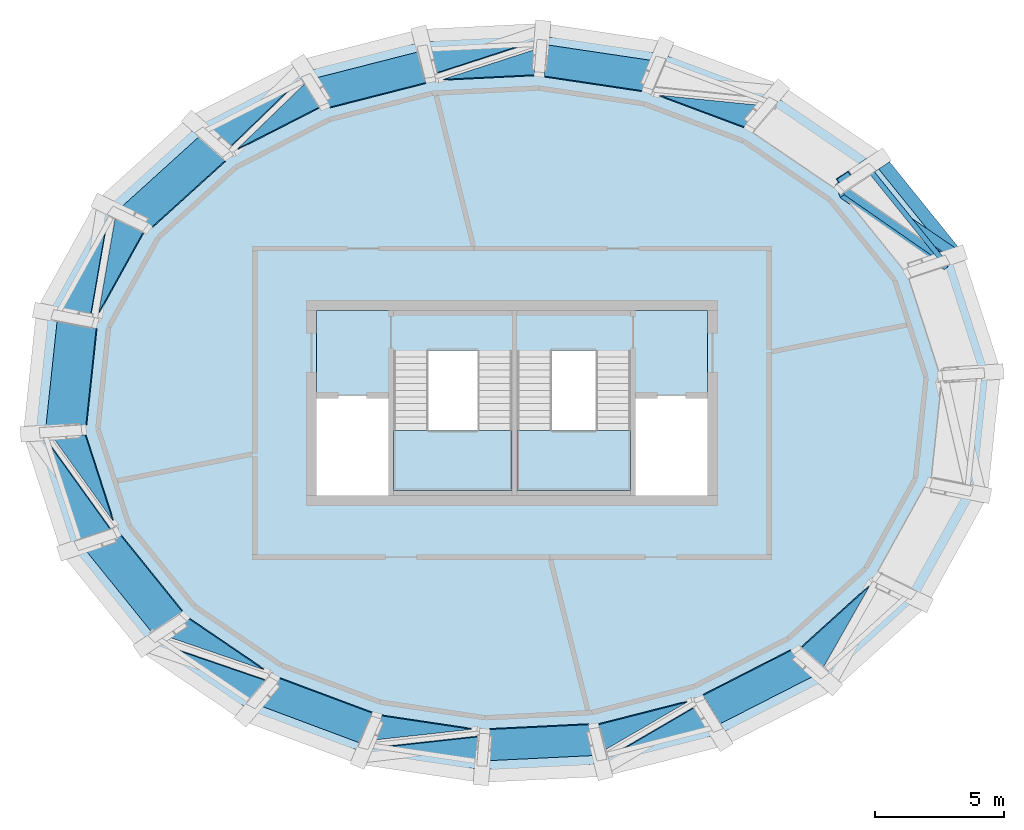
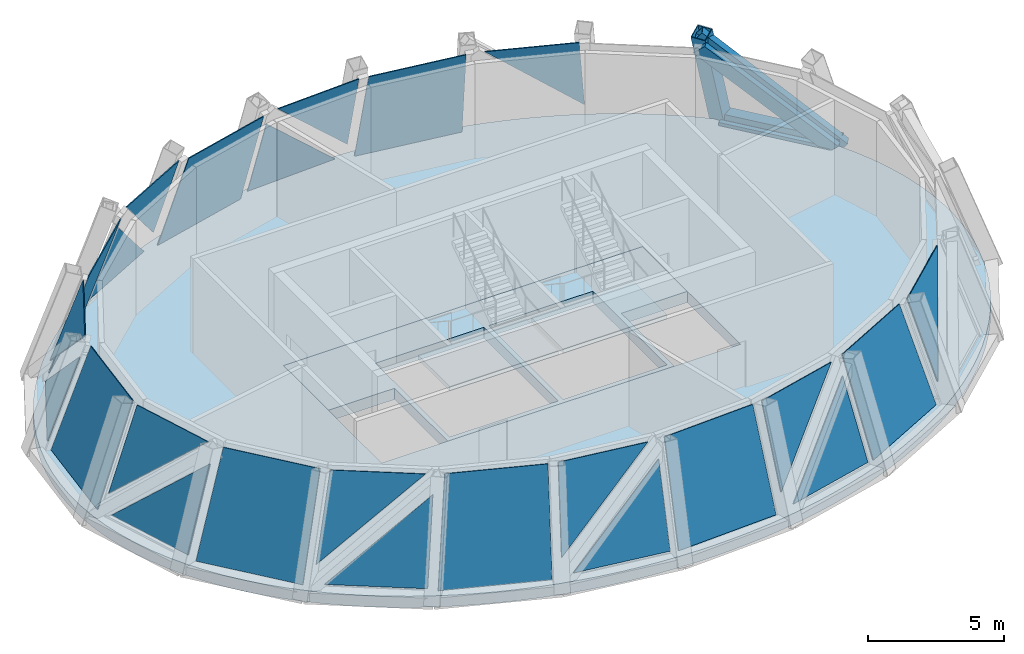
# One storey, part 3 of 6: 24 plates, 4 members, 4 slabs, 1 beam, 3 elements without a shape of their own.
"""IFC4 building model written with IfcOpenShell, lengths in metres."""

from ifc_helpers import new_model, si_unit, direction, frame, origin, origin_2d, place, context, subcontext, project, spatial, polyline, rectangle, hollow_rectangle, outline, extrude, source, transform, mapped, material, layer, layer_set, material_profile, profile_set, type_object, element, aggregate, save


model = new_model("IFC4")

# Units and contexts
model_context = context("Model", 3, precision=1e-05, world=origin(), true_north=direction((0.0, 1.0)))
body_context = subcontext(model_context, "Body", "Model", "MODEL_VIEW")
ifc_project = project(units=[si_unit("LENGTHUNIT", "METRE"), si_unit("AREAUNIT", "SQUARE_METRE"), si_unit("VOLUMEUNIT", "CUBIC_METRE"), si_unit("PLANEANGLEUNIT", "RADIAN"), si_unit("MASSUNIT", "GRAM", prefix="KILO")], contexts=[model_context])

# Site, building, storey
site_placement = place(None, origin())
site = spatial("IfcSite", under=ifc_project, at=site_placement, CompositionType="ELEMENT")
building_placement = place(site_placement, origin())
building = spatial("IfcBuilding", under=site, at=building_placement, Name="Embergate Tower", CompositionType="ELEMENT")
storey_placement = place(building_placement, frame((0.0, 0.0, 356.5)))
storey = spatial("IfcBuildingStorey", under=building, at=storey_placement, Name="L81", CompositionType="ELEMENT", Elevation=356.5)

# Beam
ifc_material_1 = material(Name="Steel Q355D", Category="steel")
ifc_material_profile_1 = material_profile(ifc_material_1, hollow_rectangle(XDim=0.5, YDim=0.5, WallThickness=0.02490234375, at=origin_2d()), Name="BOX 500x500x25")
ifc_profile_set_1 = profile_set([ifc_material_profile_1], Name="Steel Q355 grade D")
beam_type = type_object("IfcBeamType", Name="Glass point ring beam BOX 500x500x25", PredefinedType="BEAM", material=ifc_profile_set_1)
shared_shape_1 = source(origin(), body_context, "Body", "SweptSolid", [
    extrude(hollow_rectangle(XDim=0.5, YDim=0.5, WallThickness=0.02490234375, at=origin_2d()), origin(), (0.0, 0.0, 1.0), 4.773193359375),
])
beam_placement = place(storey_placement, frame((17.279052734375, 5.7529296875, 0.0), z_axis=(-0.628107299291, 0.77812673812, 0.0), x_axis=(-0.77812673812, -0.628107299291, 0.0)))
element("IfcBeam", 1, at=beam_placement, inside=storey, type_object=beam_type, Name="CRN-L81-RB01", PredefinedType="BEAM", context=body_context, shape_type="MappedRepresentation", body=[
    mapped(shared_shape_1, transform((0.0, 0.0, 0.0))),
])

# Members
ifc_material_profile_2 = material_profile(ifc_material_1, hollow_rectangle(XDim=0.39990234375, YDim=0.39990234375, WallThickness=0.02197265625, at=origin_2d()), Name="BOX 400x400x22")
ifc_profile_set_2 = profile_set([ifc_material_profile_2], Name="Steel Q355 grade D")
member_type_1 = type_object("IfcMemberType", Name="Glass point brace BOX 400x400x22", PredefinedType="BRACE", material=ifc_profile_set_2)
shared_shape_2 = source(origin(), body_context, "Body", "SweptSolid", [
    extrude(hollow_rectangle(XDim=0.39990234375, YDim=0.39990234375, WallThickness=0.02197265625, at=origin_2d()), origin(), (0.0, 0.0, 1.0), 7.12548828125),
])
member_1_placement = place(storey_placement, frame((17.3720703125, 5.68896484375, -0.09912109375), z_axis=(-0.621158125334, 0.423562068806, 0.659361628547), x_axis=(-0.563377833541, -0.826199380704, 0.0)))
element("IfcMember", 2, at=member_1_placement, inside=storey, type_object=member_type_1, Name="CRN-L81-DG01", PredefinedType="BRACE", context=body_context, shape_type="MappedRepresentation", body=[
    mapped(shared_shape_2, transform((0.0, 0.0, 0.0))),
])
ifc_material_profile_3 = material_profile(ifc_material_1, hollow_rectangle(XDim=0.60009765625, YDim=0.60009765625, WallThickness=0.028076171875, at=origin_2d()), Name="BOX 600x600x28")
ifc_profile_set_3 = profile_set([ifc_material_profile_3], Name="Steel Q355 grade D")
member_type_2 = type_object("IfcMemberType", Name="Glass point hip BOX 600x600x28", PredefinedType="MEMBER", material=ifc_profile_set_3)
shared_shape_3 = source(origin(), body_context, "Body", "SweptSolid", [
    extrude(hollow_rectangle(XDim=0.60009765625, YDim=0.60009765625, WallThickness=0.028076171875, at=origin_2d()), origin(), (0.0, 0.0, 1.0), 5.03955078125),
])
member_2_placement = place(storey_placement, frame((14.320068359375, 9.492919921875, -0.14208984375), z_axis=(-0.261935388227, -0.173816196219, 0.949303840889), x_axis=(0.552920820457, -0.833233800505, 0.0)))
element("IfcMember", 3, at=member_2_placement, inside=storey, type_object=member_type_2, Name="CRN-L81-HP02", PredefinedType="MEMBER", context=body_context, shape_type="MappedRepresentation", body=[
    mapped(shared_shape_3, transform((0.0, 0.0, 0.0))),
])

# Curtain wall, members
ifc_material_2 = material(Name="Aluminium and glass", Category="aluminium")
curtain_wall_type = type_object("IfcCurtainWallType", Name="Crown facet glazing", PredefinedType="NOTDEFINED", material=ifc_material_2)
curtain_wall_placement = place(storey_placement, origin())
curtain_wall = element("IfcCurtainWall", 4, at=curtain_wall_placement, inside=storey, type_object=curtain_wall_type, Name="Crown facet glazing L81", ObjectType="CROWN FACET GLAZING", PredefinedType="USERDEFINED")
ifc_material_3 = material(Name="Aluminium, thermally broken", Category="aluminium")
ifc_material_profile_4 = material_profile(ifc_material_3, rectangle(XDim=0.199951171875, YDim=0.139892578125, at=origin_2d()), Name="AL 140x200")
ifc_profile_set_4 = profile_set([ifc_material_profile_4], Name="Aluminium, thermally broken")
member_type_3 = type_object("IfcMemberType", Name="Crown facet transom", PredefinedType="USERDEFINED", material=ifc_profile_set_4)
shared_shape_4 = source(origin(), body_context, "Body", "SweptSolid", [
    extrude(rectangle(XDim=0.199951171875, YDim=0.139892578125, at=origin_2d()), origin(), (0.0, 0.0, 1.0), 4.35205078125),
])
member_3_placement = place(storey_placement, frame((16.708251953125, 5.585205078125, 0.070068359375), z_axis=(-0.628116410769, 0.778119383207, 0.0), x_axis=(-0.778119383207, -0.628116410769, 0.0)))
member_3 = element("IfcMember", 5, at=member_3_placement, type_object=member_type_3, Name="CW transom 2.1", ObjectType="TRANSOM", PredefinedType="USERDEFINED", context=body_context, shape_type="MappedRepresentation", body=[
    mapped(shared_shape_4, transform((0.0, 0.0, 0.0))),
])
ifc_material_profile_5 = material_profile(ifc_material_3, rectangle(XDim=0.199951171875, YDim=0.760009765625, at=origin_2d()), Name="AL 760x200")
ifc_profile_set_5 = profile_set([ifc_material_profile_5], Name="Aluminium, thermally broken")
member_type_4 = type_object("IfcMemberType", Name="Crown diagonal cover mullion", PredefinedType="MULLION", material=ifc_profile_set_5)
shared_shape_5 = source(origin(), body_context, "Body", "SweptSolid", [
    extrude(rectangle(XDim=0.199951171875, YDim=0.760009765625, at=origin_2d()), origin(), (0.0, 0.0, 1.0), 6.45751953125),
])
member_4_placement = place(storey_placement, frame((16.7822265625, 5.489501953125, 0.077880859375), z_axis=(-0.625304271667, 0.434072092811, 0.648518300496), x_axis=(0.738893277933, 0.596676761047, 0.313071184641)))
member_4 = element("IfcMember", 6, at=member_4_placement, type_object=member_type_4, Name="CW diagonal mullion 2", PredefinedType="MULLION", context=body_context, shape_type="MappedRepresentation", body=[
    mapped(shared_shape_5, transform((0.0, 0.0, 0.0))),
])

# Slab
ifc_material_4 = material(Name="Concrete C50", Category="concrete")
ifc_layer_1 = layer(ifc_material_4, 0.5)
ifc_layer_set_1 = layer_set([ifc_layer_1], Name="Concrete C50")
slab_type_1 = type_object("IfcSlabType", Name="Crown floor slab C50 500", PredefinedType="FLOOR", material=ifc_layer_set_1)
shared_shape_6 = source(origin(), body_context, "Body", "SweptSolid", [
    extrude(outline(polyline([(0.0, 0.0), (0.7841796875, 0.0), (1.567138671875, 0.026123046875), (2.35107421875, 0.0771484375), (3.132080078125, 0.154052734375), (3.906982421875, 0.256103515625), (4.68408203125, 0.384033203125), (5.4521484375, 0.5390625), (6.212158203125, 0.718017578125), (6.97314453125, 0.926025390625), (7.72119140625, 1.1591796875), (8.4560546875, 1.4169921875), (9.192138671875, 1.7060546875), (9.91015625, 2.02001953125), (10.610107421875, 2.359130859375), (11.30810546875, 2.732177734375), (11.984130859375, 3.129150390625), (12.635986328125, 3.550048828125), (13.283203125, 4.009033203125), (13.901123046875, 4.490966796875), (14.488037109375, 4.99609375), (15.065185546875, 5.5419921875), (15.606201171875, 6.109130859375), (16.109130859375, 6.696044921875), (16.593017578125, 7.326171875), (17.033203125, 7.97412109375), (17.43017578125, 8.63818359375), (17.794189453125, 9.342041015625), (18.109130859375, 10.05908203125), (18.373046875, 10.7880859375), (18.592041015625, 11.546142578125), (18.757080078125, 12.31201171875), (18.8671875, 13.0830078125), (18.923095703125, 13.864990234375), (18.923095703125, 14.649169921875), (18.8671875, 15.43115234375), (18.757080078125, 16.2021484375), (18.592041015625, 16.968017578125), (18.373046875, 17.72607421875), (18.109130859375, 18.455078125), (17.794189453125, 19.172119140625), (17.43017578125, 19.8759765625), (17.033203125, 20.5400390625), (16.593017578125, 21.18798828125), (16.109130859375, 21.818115234375), (15.606201171875, 22.405029296875), (15.065185546875, 22.97216796875), (14.488037109375, 23.51806640625), (13.901123046875, 24.023193359375), (13.283203125, 24.505126953125), (12.635986328125, 24.964111328125), (11.984130859375, 25.385009765625), (11.30810546875, 25.781982421875), (10.610107421875, 26.155029296875), (9.91015625, 26.494140625), (9.192138671875, 26.80810546875), (8.4560546875, 27.09716796875), (7.72119140625, 27.35498046875), (6.97314453125, 27.588134765625), (6.212158203125, 27.796142578125), (5.4521484375, 27.97509765625), (4.68408203125, 28.130126953125), (3.906982421875, 28.258056640625), (3.132080078125, 28.360107421875), (2.35107421875, 28.43701171875), (1.567138671875, 28.488037109375), (0.7841796875, 28.51416015625), (0.0, 28.51416015625), (-0.782958984375, 28.488037109375), (-1.56689453125, 28.43701171875), (-2.347900390625, 28.360107421875), (-3.122802734375, 28.258056640625), (-3.89990234375, 28.130126953125), (-4.66796875, 27.97509765625), (-5.427978515625, 27.796142578125), (-6.18896484375, 27.588134765625), (-6.93701171875, 27.35498046875), (-7.671875, 27.09716796875), (-8.407958984375, 26.80810546875), (-9.1259765625, 26.494140625), (-9.825927734375, 26.155029296875), (-10.52392578125, 25.781982421875), (-11.199951171875, 25.385009765625), (-11.851806640625, 24.964111328125), (-12.4990234375, 24.505126953125), (-13.116943359375, 24.023193359375), (-13.703857421875, 23.51806640625), (-14.281005859375, 22.97216796875), (-14.822021484375, 22.405029296875), (-15.324951171875, 21.818115234375), (-15.808837890625, 21.18798828125), (-16.2490234375, 20.5400390625), (-16.64599609375, 19.8759765625), (-17.010009765625, 19.172119140625), (-17.324951171875, 18.455078125), (-17.5888671875, 17.72607421875), (-17.807861328125, 16.968017578125), (-17.972900390625, 16.2021484375), (-18.0830078125, 15.43115234375), (-18.138916015625, 14.649169921875), (-18.138916015625, 13.864990234375), (-18.0830078125, 13.0830078125), (-17.972900390625, 12.31201171875), (-17.807861328125, 11.546142578125), (-17.5888671875, 10.7880859375), (-17.324951171875, 10.05908203125), (-17.010009765625, 9.342041015625), (-16.64599609375, 8.63818359375), (-16.2490234375, 7.97412109375), (-15.808837890625, 7.326171875), (-15.324951171875, 6.696044921875), (-14.822021484375, 6.109130859375), (-14.281005859375, 5.5419921875), (-13.703857421875, 4.99609375), (-13.116943359375, 4.490966796875), (-12.4990234375, 4.009033203125), (-11.851806640625, 3.550048828125), (-11.199951171875, 3.129150390625), (-10.52392578125, 2.732177734375), (-9.825927734375, 2.359130859375), (-9.1259765625, 2.02001953125), (-8.407958984375, 1.7060546875), (-7.671875, 1.4169921875), (-6.93701171875, 1.1591796875), (-6.18896484375, 0.926025390625), (-5.427978515625, 0.718017578125), (-4.66796875, 0.5390625), (-3.89990234375, 0.384033203125), (-3.122802734375, 0.256103515625), (-2.347900390625, 0.154052734375), (-1.56689453125, 0.0771484375), (-0.782958984375, 0.026123046875), (0.0, 0.0)]), holes=[polyline([(-7.2080078125, 10.656982421875), (-7.2080078125, 17.857177734375), (7.9921875, 17.857177734375), (7.9921875, 10.656982421875), (-7.2080078125, 10.656982421875)])]), origin(), (0.0, 0.0, 1.0), 0.5),
])
slab_1_placement = place(storey_placement, frame((-0.39208984375, -14.257080078125, -0.5)))
element("IfcSlab", 7, at=slab_1_placement, inside=storey, type_object=slab_type_1, Name="SLB-L81-00", PredefinedType="FLOOR", context=body_context, shape_type="MappedRepresentation", body=[
    mapped(shared_shape_6, transform((0.0, 0.0, 0.0))),
])

# Plate
ifc_material_5 = material(Name="Triple glazing, low-emissivity coating", Category="glass")
ifc_layer_2 = layer(ifc_material_5, 0.0400390625)
ifc_layer_set_2 = layer_set([ifc_layer_2], Name="Triple glazing, low-emissivity coating")
plate_type = type_object("IfcPlateType", Name="Crown facet glazing unit", PredefinedType="CURTAIN_PANEL", material=ifc_layer_set_2)
shared_shape_7 = source(origin(), body_context, "Body", "SweptSolid", [
    extrude(outline(polyline([(0.0, 0.0), (5.349609375, 0.0), (2.796142578125, 2.415283203125), (0.0, 0.0)])), origin(), (0.0, 0.0, -1.0), 0.0400390625),
])
plate_1_placement = place(storey_placement, frame((9.744140625, 11.56103515625, 0.810791015625), z_axis=(0.335843732298, 0.899853051497, 0.278340570501), x_axis=(-0.747529602842, 0.07484423374, 0.659998358749)))
plate_1 = element("IfcPlate", 8, at=plate_1_placement, type_object=plate_type, Name="CW panel 4.2", PredefinedType="CURTAIN_PANEL", context=body_context, shape_type="MappedRepresentation", body=[
    mapped(shared_shape_7, transform((0.0, 0.0, 0.0))),
])

shared_shape_8 = source(origin(), body_context, "Body", "SweptSolid", [
    extrude(outline(polyline([(0.0, 0.0), (4.2421875, 0.0), (4.162353515625, 4.493408203125), (0.31689453125, 4.493408203125), (0.0, 0.0)])), origin(), (0.0, 0.0, -1.0), 0.0400390625),
])
plate_2_placement = place(storey_placement, frame((5.548828125, 13.2978515625, 0.01123046875), z_axis=(0.141858286889, 0.952261169823, 0.270323678002), x_axis=(-0.989085431967, 0.147343164964, 2.92365e-06)))
plate_2 = element("IfcPlate", 9, at=plate_2_placement, type_object=plate_type, Name="CW panel 5.1", PredefinedType="CURTAIN_PANEL", context=body_context, shape_type="MappedRepresentation", body=[
    mapped(shared_shape_8, transform((0.0, 0.0, 0.0))),
])

shared_shape_9 = source(origin(), body_context, "Body", "SweptSolid", [
    extrude(outline(polyline([(0.0, 0.0), (3.808349609375, 0.0), (3.615234375, 3.643310546875), (0.0, 0.0)])), origin(), (0.0, 0.0, -1.0), 0.0400390625),
])
plate_3_placement = place(storey_placement, frame((0.535400390625, 13.960205078125, 0.150146484375), z_axis=(-0.0473023459, 0.962102544538, 0.26855387144), x_axis=(-0.998793558808, -0.049106281518, 0.0)))
plate_3 = element("IfcPlate", 10, at=plate_3_placement, type_object=plate_type, Name="CW panel 6.1", PredefinedType="CURTAIN_PANEL", context=body_context, shape_type="MappedRepresentation", body=[
    mapped(shared_shape_9, transform((0.0, 0.0, 0.0))),
])

shared_shape_10 = source(origin(), body_context, "Body", "SweptSolid", [
    extrude(outline(polyline([(0.0, 0.0), (5.210693359375, 0.0), (2.718017578125, 2.51220703125), (0.0, 0.0)])), origin(), (0.0, 0.0, -1.0), 0.0400390625),
])
plate_4_placement = place(storey_placement, frame((0.946044921875, 13.756591796875, 0.783447265625), z_axis=(-0.04731534268, 0.962122937239, 0.26847851308), x_axis=(-0.69414239314, -0.224946178162, 0.683787653425)))
plate_4 = element("IfcPlate", 11, at=plate_4_placement, type_object=plate_type, Name="CW panel 6.2", PredefinedType="CURTAIN_PANEL", context=body_context, shape_type="MappedRepresentation", body=[
    mapped(shared_shape_10, transform((0.0, 0.0, 0.0))),
])

shared_shape_11 = source(origin(), body_context, "Body", "SweptSolid", [
    extrude(outline(polyline([(0.0, 0.0), (4.2392578125, 0.0), (3.849609375, 4.496337890625), (0.007080078125, 4.496337890625), (0.0, 0.0)])), origin(), (0.0, 0.0, -1.0), 0.0400390625),
])
plate_5_placement = place(storey_placement, frame((-3.64990234375, 13.648193359375, 0.002685546875), z_axis=(-0.237805208716, 0.932042995453, 0.273394472027), x_axis=(-0.968958160907, -0.247224760903, 2.959132e-06)))
plate_5 = element("IfcPlate", 12, at=plate_5_placement, type_object=plate_type, Name="CW panel 7.1", PredefinedType="CURTAIN_PANEL", context=body_context, shape_type="MappedRepresentation", body=[
    mapped(shared_shape_11, transform((0.0, 0.0, 0.0))),
])

shared_shape_12 = source(origin(), body_context, "Body", "SweptSolid", [
    extrude(outline(polyline([(0.0, 0.0), (3.814697265625, 0.0), (3.40380859375, 3.65478515625), (0.0, 0.0)])), origin(), (0.0, 0.0, -1.0), 0.0400390625),
])
plate_6_placement = place(storey_placement, frame((-8.500244140625, 12.342041015625, 0.15087890625), z_axis=(-0.435766459251, 0.853802873911, 0.28483020467), x_axis=(-0.890697352457, -0.454596773335, 0.0)))
plate_6 = element("IfcPlate", 13, at=plate_6_placement, type_object=plate_type, Name="CW panel 8.1", PredefinedType="CURTAIN_PANEL", context=body_context, shape_type="MappedRepresentation", body=[
    mapped(shared_shape_12, transform((0.0, 0.0, 0.0))),
])

shared_shape_13 = source(origin(), body_context, "Body", "SweptSolid", [
    extrude(outline(polyline([(0.0, 0.0), (5.086181640625, 0.0), (2.662353515625, 2.6025390625), (0.0, 0.0)])), origin(), (0.0, 0.0, -1.0), 0.0400390625),
])
plate_7_placement = place(storey_placement, frame((-8.0615234375, 12.4033203125, 0.796142578125), z_axis=(-0.43581690434, 0.853801046929, 0.284758490925), x_axis=(-0.512305279962, -0.495457237868, 0.701473752587)))
plate_7 = element("IfcPlate", 14, at=plate_7_placement, type_object=plate_type, Name="CW panel 8.2", PredefinedType="CURTAIN_PANEL", context=body_context, shape_type="MappedRepresentation", body=[
    mapped(shared_shape_13, transform((0.0, 0.0, 0.0))),
])

shared_shape_14 = source(origin(), body_context, "Body", "SweptSolid", [
    extrude(outline(polyline([(0.0, 0.0), (4.21142578125, 0.0), (3.65966796875, 4.522216796875), (-0.15380859375, 4.5224609375), (0.0, 0.0)])), origin(), (0.0, 0.0, -1.0), 0.0400390625),
])
plate_8_placement = place(storey_placement, frame((-12.19287109375, 10.32861328125, 0.0009765625), z_axis=(-0.639874333687, 0.70640848092, 0.302568827167), x_axis=(-0.741147446859, -0.671342283793, 2.161983e-06)))
plate_8 = element("IfcPlate", 15, at=plate_8_placement, type_object=plate_type, Name="CW panel 9.1", PredefinedType="CURTAIN_PANEL", context=body_context, shape_type="MappedRepresentation", body=[
    mapped(shared_shape_14, transform((0.0, 0.0, 0.0))),
])

shared_shape_15 = source(origin(), body_context, "Body", "SweptSolid", [
    extrude(outline(polyline([(0.0, 0.0), (3.799072265625, 0.0), (3.41650390625, 3.656982421875), (0.0, 0.0)])), origin(), (0.0, 0.0, -1.0), 0.0400390625),
])
plate_9_placement = place(storey_placement, frame((-15.780517578125, 6.90771484375, 0.152587890625), z_axis=(-0.828073373517, 0.457878726875, 0.323483476468), x_axis=(-0.483895964846, -0.875125531113, 0.0)))
plate_9 = element("IfcPlate", 16, at=plate_9_placement, type_object=plate_type, Name="CW panel 10.1", PredefinedType="CURTAIN_PANEL", context=body_context, shape_type="MappedRepresentation", body=[
    mapped(shared_shape_15, transform((0.0, 0.0, 0.0))),
])

shared_shape_16 = source(origin(), body_context, "Body", "SweptSolid", [
    extrude(outline(polyline([(0.0, 0.0), (5.104248046875, 0.0), (2.68115234375, 2.593505859375), (0.0, 0.0)])), origin(), (0.0, 0.0, -1.0), 0.0400390625),
])
plate_10_placement = place(storey_placement, frame((-15.433349609375, 7.16259765625, 0.819091796875), z_axis=(-0.828124797688, 0.457834616595, 0.323414259583), x_axis=(-0.123497337897, -0.711807661728, 0.691432035878)))
plate_10 = element("IfcPlate", 17, at=plate_10_placement, type_object=plate_type, Name="CW panel 10.2", PredefinedType="CURTAIN_PANEL", context=body_context, shape_type="MappedRepresentation", body=[
    mapped(shared_shape_16, transform((0.0, 0.0, 0.0))),
])

shared_shape_17 = source(origin(), body_context, "Body", "SweptSolid", [
    extrude(outline(polyline([(0.0, 0.0), (4.1748046875, 0.0), (3.91064453125, 4.560791015625), (0.133056640625, 4.560791015625), (0.0, 0.0)])), origin(), (0.0, 0.0, -1.0), 0.0400390625),
])
plate_11_placement = place(storey_placement, frame((-17.684814453125, 3.193603515625, -0.00146484375), z_axis=(-0.936218190348, 0.099547250619, 0.33702499159), x_axis=(-0.105732957958, -0.994394560324, 3.73714e-07)))
plate_11 = element("IfcPlate", 18, at=plate_11_placement, type_object=plate_type, Name="CW panel 11.1", PredefinedType="CURTAIN_PANEL", context=body_context, shape_type="MappedRepresentation", body=[
    mapped(shared_shape_17, transform((0.0, 0.0, 0.0))),
])

shared_shape_18 = source(origin(), body_context, "Body", "SweptSolid", [
    extrude(outline(polyline([(0.0, 0.0), (3.78515625, 0.0), (3.7744140625, 3.648193359375), (0.0, 0.0)])), origin(), (0.0, 0.0, -1.0), 0.0400390625),
])
plate_12_placement = place(storey_placement, frame((-17.9404296875, -1.687744140625, 0.123291015625), z_axis=(-0.897591619051, -0.290171802553, 0.33185781656), x_axis=(0.307603894487, -0.951514500203, 0.0)))
plate_12 = element("IfcPlate", 19, at=plate_12_placement, type_object=plate_type, Name="CW panel 12.1", PredefinedType="CURTAIN_PANEL", context=body_context, shape_type="MappedRepresentation", body=[
    mapped(shared_shape_18, transform((0.0, 0.0, 0.0))),
])

shared_shape_19 = source(origin(), body_context, "Body", "SweptSolid", [
    extrude(outline(polyline([(0.0, 0.0), (5.305908203125, 0.0), (2.786376953125, 2.435791015625), (0.0, 0.0)])), origin(), (0.0, 0.0, -1.0), 0.0400390625),
])
plate_13_placement = place(storey_placement, frame((-17.859619140625, -1.3232421875, 0.841552734375), z_axis=(-0.897570360991, -0.289924623522, 0.332131238737), x_axis=(0.440661569029, -0.613208387852, 0.655585886554)))
plate_13 = element("IfcPlate", 20, at=plate_13_placement, type_object=plate_type, Name="CW panel 12.2", PredefinedType="CURTAIN_PANEL", context=body_context, shape_type="MappedRepresentation", body=[
    mapped(shared_shape_19, transform((0.0, 0.0, 0.0))),
])

shared_shape_20 = source(origin(), body_context, "Body", "SweptSolid", [
    extrude(outline(polyline([(0.0, 0.0), (4.2001953125, 0.0), (4.3330078125, 4.53369140625), (0.5302734375, 4.533447265625), (0.0, 0.0)])), origin(), (0.0, 0.0, -1.0), 0.0400390625),
])
plate_14_placement = place(storey_placement, frame((-16.64794921875, -5.64111328125, 0.009521484375), z_axis=(-0.739035878572, -0.59655921046, 0.31295858927), x_axis=(0.628110723743, -0.778123973872, -2.11827e-06)))
plate_14 = element("IfcPlate", 21, at=plate_14_placement, type_object=plate_type, Name="CW panel 13.1", PredefinedType="CURTAIN_PANEL", context=body_context, shape_type="MappedRepresentation", body=[
    mapped(shared_shape_20, transform((0.0, 0.0, 0.0))),
])

shared_shape_21 = source(origin(), body_context, "Body", "SweptSolid", [
    extrude(outline(polyline([(0.0, 0.0), (3.786865234375, 0.0), (3.903076171875, 3.63134765625), (0.0, 0.0)])), origin(), (0.0, 0.0, -1.0), 0.0400390625),
])
plate_15_placement = place(storey_placement, frame((-13.4091796875, -9.480224609375, 0.16455078125), z_axis=(-0.537497421084, -0.790712949273, 0.293035073292), x_axis=(0.827017623468, -0.562175995996, 0.0)))
plate_15 = element("IfcPlate", 22, at=plate_15_placement, type_object=plate_type, Name="CW panel 14.1", PredefinedType="CURTAIN_PANEL", context=body_context, shape_type="MappedRepresentation", body=[
    mapped(shared_shape_21, transform((0.0, 0.0, 0.0))),
])

shared_shape_22 = source(origin(), body_context, "Body", "SweptSolid", [
    extrude(outline(polyline([(0.0, 0.0), (5.385986328125, 0.0), (2.82080078125, 2.386474609375), (0.0, 0.0)])), origin(), (0.0, 0.0, -1.0), 0.0400390625),
])
plate_16_placement = place(storey_placement, frame((-13.519775390625, -9.045654296875, 0.82666015625), z_axis=(-0.537575163875, -0.790606576987, 0.293179439269), x_axis=(0.717707559156, -0.246503739449, 0.651253994972)))
plate_16 = element("IfcPlate", 23, at=plate_16_placement, type_object=plate_type, Name="CW panel 14.2", PredefinedType="CURTAIN_PANEL", context=body_context, shape_type="MappedRepresentation", body=[
    mapped(shared_shape_22, transform((0.0, 0.0, 0.0))),
])

shared_shape_23 = source(origin(), body_context, "Body", "SweptSolid", [
    extrude(outline(polyline([(0.0, 0.0), (4.23486328125, 0.0), (4.292236328125, 4.500244140625), (0.455078125, 4.500244140625), (0.0, 0.0)])), origin(), (0.0, 0.0, -1.0), 0.0400390625),
])
plate_17_placement = place(storey_placement, frame((-9.8974609375, -11.7333984375, 0.014892578125), z_axis=(-0.335880810897, -0.899836370656, 0.278349756452), x_axis=(0.936861320501, -0.349701109734, -1.34255e-07)))
plate_17 = element("IfcPlate", 24, at=plate_17_placement, type_object=plate_type, Name="CW panel 15.1", PredefinedType="CURTAIN_PANEL", context=body_context, shape_type="MappedRepresentation", body=[
    mapped(shared_shape_23, transform((0.0, 0.0, 0.0))),
])

shared_shape_24 = source(origin(), body_context, "Body", "SweptSolid", [
    extrude(outline(polyline([(0.0, 0.0), (3.801025390625, 0.0), (3.736328125, 3.636474609375), (0.0, 0.0)])), origin(), (0.0, 0.0, -1.0), 0.0400390625),
])
plate_18_placement = place(storey_placement, frame((-5.12060546875, -13.40087890625, 0.150390625), z_axis=(-0.141868555812, -0.952325148626, 0.270092806579), x_axis=(0.989085199312, -0.14734472675, 0.0)))
plate_18 = element("IfcPlate", 25, at=plate_18_placement, type_object=plate_type, Name="CW panel 16.1", PredefinedType="CURTAIN_PANEL", context=body_context, shape_type="MappedRepresentation", body=[
    mapped(shared_shape_24, transform((0.0, 0.0, 0.0))),
])

shared_shape_25 = source(origin(), body_context, "Body", "SweptSolid", [
    extrude(outline(polyline([(0.0, 0.0), (5.285888671875, 0.0), (2.7578125, 2.4609375), (0.0, 0.0)])), origin(), (0.0, 0.0, -1.0), 0.0400390625),
])
plate_19_placement = place(storey_placement, frame((-5.464599609375, -13.119140625, 0.7958984375), z_axis=(-0.141976396961, -0.952261211528, 0.270261517284), x_axis=(0.736538845304, 0.080780487893, 0.671554198954)))
plate_19 = element("IfcPlate", 26, at=plate_19_placement, type_object=plate_type, Name="CW panel 16.2", PredefinedType="CURTAIN_PANEL", context=body_context, shape_type="MappedRepresentation", body=[
    mapped(shared_shape_25, transform((0.0, 0.0, 0.0))),
])

shared_shape_26 = source(origin(), body_context, "Body", "SweptSolid", [
    extrude(outline(polyline([(0.0, 0.0), (4.2431640625, 0.0), (4.0048828125, 4.4921875), (0.159423828125, 4.4921875), (0.0, 0.0)])), origin(), (0.0, 0.0, -1.0), 0.0400390625),
])
plate_20_placement = place(storey_placement, frame((-0.966552734375, -13.9130859375, 0.003173828125), z_axis=(0.047246809628, -0.962119493791, 0.268502921115), x_axis=(0.998796518385, 0.049046047925, -6.667187e-06)))
plate_20 = element("IfcPlate", 27, at=plate_20_placement, type_object=plate_type, Name="CW panel 17.1", PredefinedType="CURTAIN_PANEL", context=body_context, shape_type="MappedRepresentation", body=[
    mapped(shared_shape_26, transform((0.0, 0.0, 0.0))),
])

shared_shape_27 = source(origin(), body_context, "Body", "SweptSolid", [
    extrude(outline(polyline([(0.0, 0.0), (3.81396484375, 0.0), (3.49755859375, 3.64990234375), (0.0, 0.0)])), origin(), (0.0, 0.0, -1.0), 0.0400390625),
])
plate_21_placement = place(storey_placement, frame((4.068359375, -13.610595703125, 0.150390625), z_axis=(0.237798178081, -0.932043247438, 0.273399728248), x_axis=(0.968960135721, 0.24721702082, 0.0)))
plate_21 = element("IfcPlate", 28, at=plate_21_placement, type_object=plate_type, Name="CW panel 18.1", PredefinedType="CURTAIN_PANEL", context=body_context, shape_type="MappedRepresentation", body=[
    mapped(shared_shape_27, transform((0.0, 0.0, 0.0))),
])

shared_shape_28 = source(origin(), body_context, "Body", "SweptSolid", [
    extrude(outline(polyline([(0.0, 0.0), (5.14013671875, 0.0), (2.68359375, 2.5634765625), (0.0, 0.0)])), origin(), (0.0, 0.0, -1.0), 0.0400390625),
])
plate_22_placement = place(storey_placement, frame((3.6123046875, -13.495849609375, 0.774169921875), z_axis=(0.237774297807, -0.932048791293, 0.273401598296), x_axis=(0.621629709603, 0.362300689552, 0.694488815237)))
plate_22 = element("IfcPlate", 29, at=plate_22_placement, type_object=plate_type, Name="CW panel 18.2", PredefinedType="CURTAIN_PANEL", context=body_context, shape_type="MappedRepresentation", body=[
    mapped(shared_shape_28, transform((0.0, 0.0, 0.0))),
])

shared_shape_29 = source(origin(), body_context, "Body", "SweptSolid", [
    extrude(outline(polyline([(0.0, 0.0), (4.228271484375, 0.0), (3.721435546875, 4.505615234375), (-0.109375, 4.505615234375), (0.0, 0.0)])), origin(), (0.0, 0.0, -1.0), 0.0400390625),
])
plate_23_placement = place(storey_placement, frame((8.11474609375, -12.465576171875, 0.002197265625), z_axis=(0.43576470073, -0.853815389236, 0.284795376895), x_axis=(0.890700832701, 0.454589954382, -2.91292e-07)))
plate_23 = element("IfcPlate", 30, at=plate_23_placement, type_object=plate_type, Name="CW panel 19.1", PredefinedType="CURTAIN_PANEL", context=body_context, shape_type="MappedRepresentation", body=[
    mapped(shared_shape_29, transform((0.0, 0.0, 0.0))),
])

shared_shape_30 = source(origin(), body_context, "Body", "SweptSolid", [
    extrude(outline(polyline([(0.0, 0.0), (5.06787109375, 0.0), (2.658935546875, 2.61865234375), (0.0, 0.0)])), origin(), (0.0, 0.0, -1.0), 0.0400390625),
])
plate_24_placement = place(storey_placement, frame((12.10791015625, -10.27490234375, 0.802001953125), z_axis=(0.639847281033, -0.706421742612, 0.302595073521), x_axis=(0.352292412258, 0.619558691925, 0.701453550511)))
plate_24 = element("IfcPlate", 31, at=plate_24_placement, type_object=plate_type, Name="CW panel 20.2", PredefinedType="CURTAIN_PANEL", context=body_context, shape_type="MappedRepresentation", body=[
    mapped(shared_shape_30, transform((0.0, 0.0, 0.0))),
])

aggregate(curtain_wall, [member_3, member_4, plate_1, plate_2, plate_3, plate_4, plate_5, plate_6, plate_7, plate_8, plate_9, plate_10, plate_11, plate_12, plate_13, plate_14, plate_15, plate_16, plate_17, plate_18, plate_19, plate_20, plate_21, plate_22, plate_23, plate_24])

# Stair, slab
ifc_material_6 = material(Name="Exit stair")
stair_type = type_object("IfcStairType", Name="Exit stair", PredefinedType="HALF_TURN_STAIR", material=ifc_material_6)
stair_1_placement = place(storey_placement, origin())
stair_1 = element("IfcStair", 32, at=stair_1_placement, inside=storey, type_object=stair_type, Name="L81 Exit stair 1", PredefinedType="HALF_TURN_STAIR")
ifc_material_7 = material(Name="Concrete C40", Category="concrete")
ifc_layer_3 = layer(ifc_material_7, 0.199951171875)
ifc_layer_set_3 = layer_set([ifc_layer_3], Name="Concrete C40")
slab_type_2 = type_object("IfcSlabType", Name="Stair landing reinforced concrete", PredefinedType="LANDING", material=ifc_layer_set_3)
shared_shape_31 = source(origin(), body_context, "Body", "SweptSolid", [
    extrude(outline(polyline([(0.0, 0.0), (4.400146484375, 0.0), (4.400146484375, 2.329833984375), (0.0, 2.329833984375), (0.0, 0.0)])), origin(), (0.0, 0.0, 1.0), 0.199951171875),
])
slab_2_placement = place(storey_placement, frame((0.199951171875, -3.39990234375, 2.050048828125)))
slab_2 = element("IfcSlab", 33, at=slab_2_placement, type_object=slab_type_2, Name="ST1 landing 1", PredefinedType="LANDING", context=body_context, shape_type="MappedRepresentation", body=[
    mapped(shared_shape_31, transform((0.0, 0.0, 0.0))),
])
aggregate(stair_1, [slab_2])

stair_2_placement = place(storey_placement, origin())
stair_2 = element("IfcStair", 34, at=stair_2_placement, inside=storey, type_object=stair_type, Name="L81 Exit stair 3", PredefinedType="HALF_TURN_STAIR")
shared_shape_32 = source(origin(), body_context, "Body", "SweptSolid", [
    extrude(outline(polyline([(0.0, 0.0), (4.60009765625, 0.0), (4.60009765625, 2.329833984375), (0.0, 2.329833984375), (0.0, 0.0)])), origin(), (0.0, 0.0, 1.0), 0.199951171875),
])
slab_3_placement = place(storey_placement, frame((-4.60009765625, -3.39990234375, 2.050048828125)))
slab_3 = element("IfcSlab", 35, at=slab_3_placement, type_object=slab_type_2, Name="ST3 landing 1", PredefinedType="LANDING", context=body_context, shape_type="MappedRepresentation", body=[
    mapped(shared_shape_32, transform((0.0, 0.0, 0.0))),
])
aggregate(stair_2, [slab_3])

# Slab
ifc_layer_4 = layer(ifc_material_7, 0.5)
ifc_layer_set_4 = layer_set([ifc_layer_4], Name="Concrete C40")
slab_type_3 = type_object("IfcSlabType", Name="Core floor slab 500 reinforced concrete", PredefinedType="FLOOR", material=ifc_layer_set_4)
shared_shape_33 = source(origin(), body_context, "Body", "SweptSolid", [
    extrude(outline(polyline([(0.0, 0.0), (9.60009765625, 0.0), (9.60009765625, 3.900146484375), (12.400146484375, 3.900146484375), (12.400146484375, 7.2001953125), (-2.800048828125, 7.2001953125), (-2.800048828125, 3.900146484375), (0.0, 3.900146484375), (0.0, 0.0)]), holes=[polyline([(0.199951171875, 0.2001953125), (0.199951171875, 5.64013671875), (4.800048828125, 5.64013671875), (4.800048828125, 0.2001953125), (0.199951171875, 0.2001953125)]), polyline([(5.0, 0.2001953125), (5.0, 5.64013671875), (9.400146484375, 5.64013671875), (9.400146484375, 0.2001953125), (5.0, 0.2001953125)])]), origin(), (0.0, 0.0, 1.0), 0.5),
])
slab_4_placement = place(storey_placement, frame((-4.800048828125, -3.60009765625, -0.5)))
element("IfcSlab", 36, at=slab_4_placement, inside=storey, type_object=slab_type_3, Name="Core floor slab", PredefinedType="FLOOR", context=body_context, shape_type="MappedRepresentation", body=[
    mapped(shared_shape_33, transform((0.0, 0.0, 0.0))),
])

save(model, "model.ifc")
